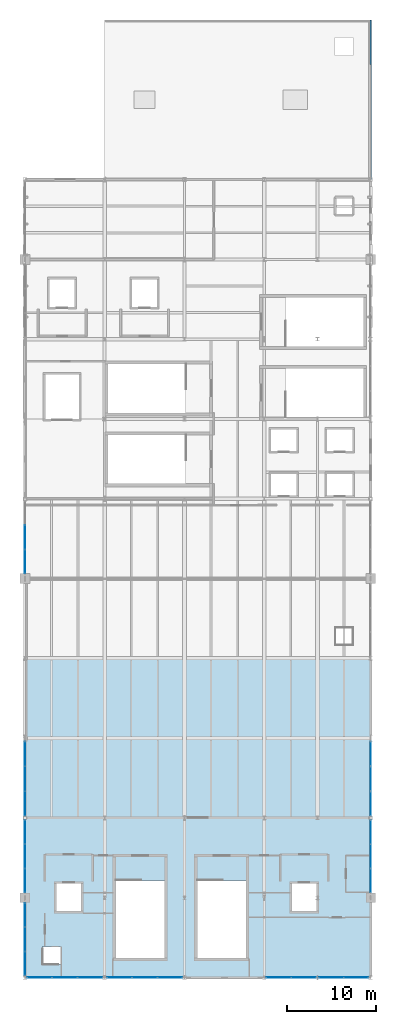
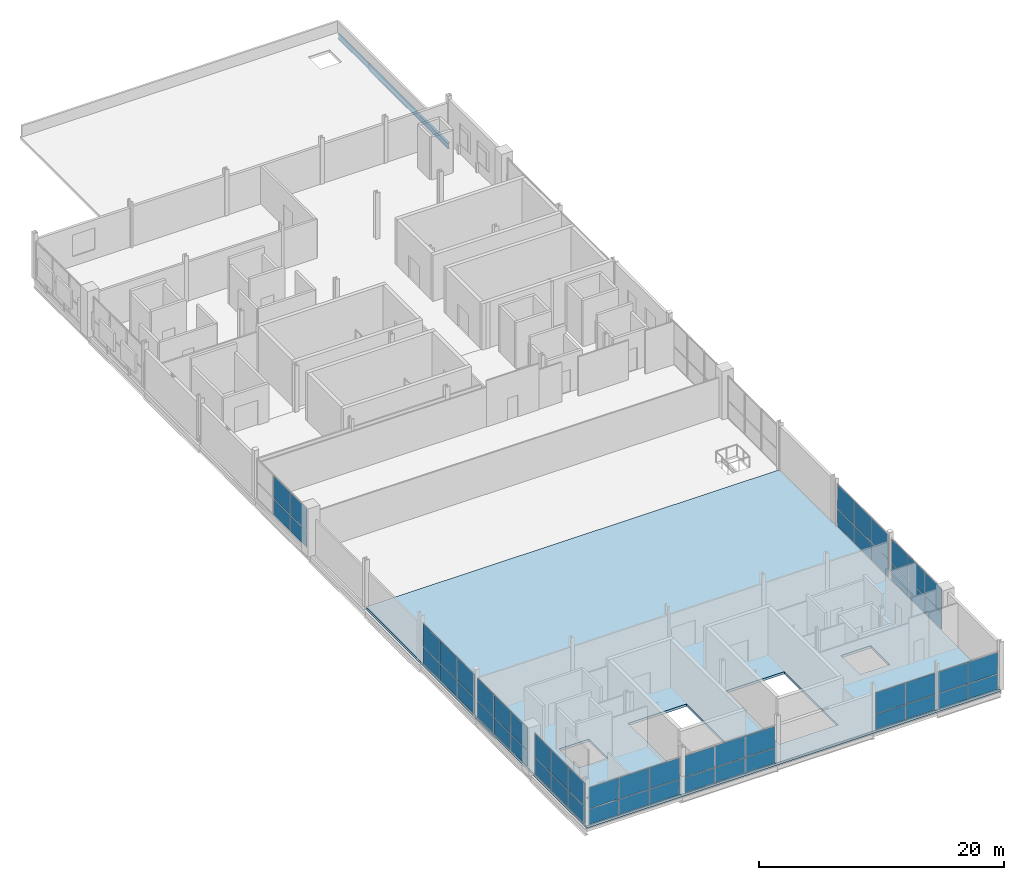
# One storey, part 20 of 29: 54 plates, 2 beams, 1 slab, 10 elements without a shape of their own.
"""IFC4 building model written with IfcOpenShell, lengths in metres."""

from ifc_helpers import new_model, si_unit, direction, frame, origin, origin_2d, place, context, subcontext, project, spatial, polyline, rectangle, i_section, outline, extrude, material, layer, layer_set, material_profile, profile_set, type_object, element, aggregate, save


model = new_model("IFC4")

# Units and contexts
model_context = context("Model", 3, precision=1e-05, world=origin(), true_north=direction((0.0, 1.0)))
body_context = subcontext(model_context, "Body", "Model", "MODEL_VIEW")
ifc_project = project(units=[si_unit("LENGTHUNIT", "METRE"), si_unit("AREAUNIT", "SQUARE_METRE"), si_unit("VOLUMEUNIT", "CUBIC_METRE"), si_unit("PLANEANGLEUNIT", "RADIAN"), si_unit("MASSUNIT", "GRAM", prefix="KILO")], contexts=[model_context])

# Site, building, storey
site_placement = place(None, origin())
site = spatial("IfcSite", under=ifc_project, at=site_placement, CompositionType="ELEMENT")
building_placement = place(site_placement, origin())
building = spatial("IfcBuilding", under=site, at=building_placement, Name="Qamarlyn Nura Convention Centre", CompositionType="ELEMENT")
storey_placement = place(building_placement, frame((0.0, 0.0, 25.199951171875)))
storey = spatial("IfcBuildingStorey", under=building, at=storey_placement, Name="L05", CompositionType="ELEMENT", Elevation=25.199951171875)

# Beams
ifc_material_1 = material(Name="Steel ASTM A992", Category="steel")
ifc_material_profile_1 = material_profile(ifc_material_1, i_section(OverallWidth=0.193115234375, OverallDepth=0.466064453125, WebThickness=0.011474609375, FlangeThickness=0.01904296875, FilletRadius=0.012939453125, at=origin_2d()), Name="W460X97")
ifc_profile_set_1 = profile_set([ifc_material_profile_1], Name="Steel ASTM A992")
beam_type_1 = type_object("IfcBeamType", Name="BM-SPAN-460", PredefinedType="SPANDREL", material=ifc_profile_set_1)
beam_1_placement = place(storey_placement, frame((192.0, 103.0, -0.472900390625), z_axis=(0.0, 1.0, 0.0), x_axis=(-1.0, 0.0, 0.0)))
element("IfcBeam", 1, at=beam_1_placement, inside=storey, type_object=beam_type_1, Name="L05 girder 18 M-N", PredefinedType="SPANDREL", context=body_context, shape_type="SweptSolid", body=[
    extrude(i_section(OverallWidth=0.193115234375, OverallDepth=0.466064453125, WebThickness=0.011474609375, FlangeThickness=0.01904296875, FilletRadius=0.012939453125, at=origin_2d()), origin(), (0.0, 0.0, 1.0), 5.0),
])
ifc_material_profile_2 = material_profile(ifc_material_1, i_section(OverallWidth=0.2109375, OverallDepth=0.5390625, WebThickness=0.01171875, FlangeThickness=0.018798828125, FilletRadius=0.013916015625, at=origin_2d()), Name="W530X109")
ifc_profile_set_2 = profile_set([ifc_material_profile_2], Name="Steel ASTM A992")
beam_type_2 = type_object("IfcBeamType", Name="BM-SPAN-530", PredefinedType="SPANDREL", material=ifc_profile_set_2)
beam_2_placement = place(storey_placement, frame((192.0, 90.0, -0.509521484375), z_axis=(0.0, 1.0, 0.0), x_axis=(-1.0, 0.0, 0.0)))
element("IfcBeam", 2, at=beam_2_placement, inside=storey, type_object=beam_type_2, Name="L05 girder 18 L-M", PredefinedType="SPANDREL", context=body_context, shape_type="SweptSolid", body=[
    extrude(i_section(OverallWidth=0.2109375, OverallDepth=0.5390625, WebThickness=0.01171875, FlangeThickness=0.018798828125, FilletRadius=0.013916015625, at=origin_2d()), origin(), (0.0, 0.0, 1.0), 13.0),
])

# Curtain wall, plates
ifc_material_2 = material(Name="Double-silver low-E insulated glass", Category="glass")
ifc_layer_1 = layer(ifc_material_2, 0.179931640625, Name="CW-UNIT-152")
ifc_layer_set_1 = layer_set([ifc_layer_1], Name="Double-silver low-E insulated glass")
curtain_wall_type_1 = type_object("IfcCurtainWallType", Name="CW-UNIT-152", PredefinedType="NOTDEFINED", material=ifc_layer_set_1)
curtain_wall_1_placement = place(storey_placement, origin())
curtain_wall_1 = element("IfcCurtainWall", 3, at=curtain_wall_1_placement, inside=storey, type_object=curtain_wall_type_1, Name="L05 unitised curtain wall EAST-2-1", PredefinedType="NOTDEFINED")
ifc_layer_2 = layer(ifc_material_2, 0.028076171875, Name="CWP-VIS-28")
ifc_layer_set_2 = layer_set([ifc_layer_2], Name="Double-silver low-E insulated glass")
plate_type_1 = type_object("IfcPlateType", Name="CWP-VIS-28", PredefinedType="CURTAIN_PANEL", material=ifc_layer_set_2)
plate_1_placement = place(storey_placement, frame((192.0, 16.409912109375, 0.06005859375), z_axis=(0.0, 0.0, 1.0), x_axis=(0.0, -1.0, 0.0)))
plate_1 = element("IfcPlate", 4, at=plate_1_placement, type_object=plate_type_1, Name="CW152 panel 1.1", PredefinedType="CURTAIN_PANEL", context=body_context, shape_type="SweptSolid", body=[
    extrude(rectangle(XDim=2.659912109375, YDim=0.028076171875, at=origin_2d()), origin(), (0.0, 0.0, 1.0), 1.693115234375),
])
plate_2_placement = place(storey_placement, frame((192.0, 16.409912109375, 1.81298828125), z_axis=(0.0, 0.0, 1.0), x_axis=(0.0, -1.0, 0.0)))
plate_2 = element("IfcPlate", 5, at=plate_2_placement, type_object=plate_type_1, Name="CW152 panel 1.2", PredefinedType="CURTAIN_PANEL", context=body_context, shape_type="SweptSolid", body=[
    extrude(rectangle(XDim=2.659912109375, YDim=0.028076171875, at=origin_2d()), origin(), (0.0, 0.0, 1.0), 2.373046875),
])
plate_3_placement = place(storey_placement, frame((192.0, 13.675048828125, 0.06005859375), z_axis=(0.0, 0.0, 1.0), x_axis=(0.0, -1.0, 0.0)))
plate_3 = element("IfcPlate", 6, at=plate_3_placement, type_object=plate_type_1, Name="CW152 panel 2.1", PredefinedType="CURTAIN_PANEL", context=body_context, shape_type="SweptSolid", body=[
    extrude(rectangle(XDim=2.68994140625, YDim=0.028076171875, at=origin_2d()), origin(), (0.0, 0.0, 1.0), 1.693115234375),
])
plate_4_placement = place(storey_placement, frame((192.0, 13.675048828125, 1.81298828125), z_axis=(0.0, 0.0, 1.0), x_axis=(0.0, -1.0, 0.0)))
plate_4 = element("IfcPlate", 7, at=plate_4_placement, type_object=plate_type_1, Name="CW152 panel 2.2", PredefinedType="CURTAIN_PANEL", context=body_context, shape_type="SweptSolid", body=[
    extrude(rectangle(XDim=2.68994140625, YDim=0.028076171875, at=origin_2d()), origin(), (0.0, 0.0, 1.0), 2.373046875),
])
plate_5_placement = place(storey_placement, frame((192.0, 10.93994140625, 0.06005859375), z_axis=(0.0, 0.0, 1.0), x_axis=(0.0, -1.0, 0.0)))
plate_5 = element("IfcPlate", 8, at=plate_5_placement, type_object=plate_type_1, Name="CW152 panel 3.1", PredefinedType="CURTAIN_PANEL", context=body_context, shape_type="SweptSolid", body=[
    extrude(rectangle(XDim=2.659912109375, YDim=0.028076171875, at=origin_2d()), origin(), (0.0, 0.0, 1.0), 1.693115234375),
])
plate_6_placement = place(storey_placement, frame((192.0, 10.93994140625, 1.81298828125), z_axis=(0.0, 0.0, 1.0), x_axis=(0.0, -1.0, 0.0)))
plate_6 = element("IfcPlate", 9, at=plate_6_placement, type_object=plate_type_1, Name="CW152 panel 3.2", PredefinedType="CURTAIN_PANEL", context=body_context, shape_type="SweptSolid", body=[
    extrude(rectangle(XDim=2.659912109375, YDim=0.028076171875, at=origin_2d()), origin(), (0.0, 0.0, 1.0), 2.373046875),
])
aggregate(curtain_wall_1, [plate_1, plate_2, plate_3, plate_4, plate_5, plate_6])

ifc_layer_3 = layer(ifc_material_2, 0.179931640625, Name="CW-UNIT-155")
ifc_layer_set_3 = layer_set([ifc_layer_3], Name="Double-silver low-E insulated glass")
curtain_wall_type_2 = type_object("IfcCurtainWallType", Name="CW-UNIT-155", PredefinedType="NOTDEFINED", material=ifc_layer_set_3)
curtain_wall_2_placement = place(storey_placement, origin())
curtain_wall_2 = element("IfcCurtainWall", 10, at=curtain_wall_2_placement, inside=storey, type_object=curtain_wall_type_2, Name="L05 unitised curtain wall STH-1-1", PredefinedType="NOTDEFINED")
plate_7_placement = place(storey_placement, frame((160.352783203125, 0.0, 0.06005859375), z_axis=(0.0, 0.0, 1.0), x_axis=(-1.0, 0.0, 0.0)))
plate_7 = element("IfcPlate", 11, at=plate_7_placement, type_object=plate_type_1, Name="CW155 panel 1.1", PredefinedType="CURTAIN_PANEL", context=body_context, shape_type="SweptSolid", body=[
    extrude(rectangle(XDim=2.775390625, YDim=0.028076171875, at=origin_2d()), origin(), (0.0, 0.0, 1.0), 1.5029296875),
])
plate_8_placement = place(storey_placement, frame((160.352783203125, 0.0, 1.623046875), z_axis=(0.0, 0.0, 1.0), x_axis=(-1.0, 0.0, 0.0)))
plate_8 = element("IfcPlate", 12, at=plate_8_placement, type_object=plate_type_1, Name="CW155 panel 1.2", PredefinedType="CURTAIN_PANEL", context=body_context, shape_type="SweptSolid", body=[
    extrude(rectangle(XDim=2.775390625, YDim=0.028076171875, at=origin_2d()), origin(), (0.0, 0.0, 1.0), 2.111083984375),
])
plate_9_placement = place(storey_placement, frame((157.50244140625, 0.0, 0.06005859375), z_axis=(0.0, 0.0, 1.0), x_axis=(-1.0, 0.0, 0.0)))
plate_9 = element("IfcPlate", 13, at=plate_9_placement, type_object=plate_type_1, Name="CW155 panel 2.1", PredefinedType="CURTAIN_PANEL", context=body_context, shape_type="SweptSolid", body=[
    extrude(rectangle(XDim=2.805419921875, YDim=0.028076171875, at=origin_2d()), origin(), (0.0, 0.0, 1.0), 1.5029296875),
])
plate_10_placement = place(storey_placement, frame((157.50244140625, 0.0, 1.623046875), z_axis=(0.0, 0.0, 1.0), x_axis=(-1.0, 0.0, 0.0)))
plate_10 = element("IfcPlate", 14, at=plate_10_placement, type_object=plate_type_1, Name="CW155 panel 2.2", PredefinedType="CURTAIN_PANEL", context=body_context, shape_type="SweptSolid", body=[
    extrude(rectangle(XDim=2.805419921875, YDim=0.028076171875, at=origin_2d()), origin(), (0.0, 0.0, 1.0), 2.111083984375),
])
plate_11_placement = place(storey_placement, frame((154.652099609375, 0.0, 0.06005859375), z_axis=(0.0, 0.0, 1.0), x_axis=(-1.0, 0.0, 0.0)))
plate_11 = element("IfcPlate", 15, at=plate_11_placement, type_object=plate_type_1, Name="CW155 panel 3.1", PredefinedType="CURTAIN_PANEL", context=body_context, shape_type="SweptSolid", body=[
    extrude(rectangle(XDim=2.775390625, YDim=0.028076171875, at=origin_2d()), origin(), (0.0, 0.0, 1.0), 1.5029296875),
])
plate_12_placement = place(storey_placement, frame((154.652099609375, 0.0, 1.623046875), z_axis=(0.0, 0.0, 1.0), x_axis=(-1.0, 0.0, 0.0)))
plate_12 = element("IfcPlate", 16, at=plate_12_placement, type_object=plate_type_1, Name="CW155 panel 3.2", PredefinedType="CURTAIN_PANEL", context=body_context, shape_type="SweptSolid", body=[
    extrude(rectangle(XDim=2.775390625, YDim=0.028076171875, at=origin_2d()), origin(), (0.0, 0.0, 1.0), 2.111083984375),
])
aggregate(curtain_wall_2, [plate_7, plate_8, plate_9, plate_10, plate_11, plate_12])

ifc_layer_4 = layer(ifc_material_2, 0.179931640625, Name="CW-UNIT-156")
ifc_layer_set_4 = layer_set([ifc_layer_4], Name="Double-silver low-E insulated glass")
curtain_wall_type_3 = type_object("IfcCurtainWallType", Name="CW-UNIT-156", PredefinedType="NOTDEFINED", material=ifc_layer_set_4)
curtain_wall_3_placement = place(storey_placement, origin())
curtain_wall_3 = element("IfcCurtainWall", 17, at=curtain_wall_3_placement, inside=storey, type_object=curtain_wall_type_3, Name="L05 unitised curtain wall STH-2-1", PredefinedType="NOTDEFINED")
plate_13_placement = place(storey_placement, frame((169.35986328125, 0.0, 0.06982421875), z_axis=(0.0, 0.0, 1.0), x_axis=(-1.0, 0.0, 0.0)))
plate_13 = element("IfcPlate", 18, at=plate_13_placement, type_object=plate_type_1, Name="CW156 panel 1.1", PredefinedType="CURTAIN_PANEL", context=body_context, shape_type="SweptSolid", body=[
    extrude(rectangle(XDim=2.76611328125, YDim=0.028076171875, at=origin_2d()), origin(), (0.0, 0.0, 1.0), 1.488037109375),
])
plate_14_placement = place(storey_placement, frame((169.35986328125, 0.0, 1.6279296875), z_axis=(0.0, 0.0, 1.0), x_axis=(-1.0, 0.0, 0.0)))
plate_14 = element("IfcPlate", 19, at=plate_14_placement, type_object=plate_type_1, Name="CW156 panel 1.2", PredefinedType="CURTAIN_PANEL", context=body_context, shape_type="SweptSolid", body=[
    extrude(rectangle(XDim=2.76611328125, YDim=0.028076171875, at=origin_2d()), origin(), (0.0, 0.0, 1.0), 2.095947265625),
])
plate_15_placement = place(storey_placement, frame((166.50634765625, 0.0, 0.06982421875), z_axis=(0.0, 0.0, 1.0), x_axis=(-1.0, 0.0, 0.0)))
plate_15 = element("IfcPlate", 20, at=plate_15_placement, type_object=plate_type_1, Name="CW156 panel 2.1", PredefinedType="CURTAIN_PANEL", context=body_context, shape_type="SweptSolid", body=[
    extrude(rectangle(XDim=2.80126953125, YDim=0.028076171875, at=origin_2d()), origin(), (0.0, 0.0, 1.0), 1.488037109375),
])
plate_16_placement = place(storey_placement, frame((166.50634765625, 0.0, 1.6279296875), z_axis=(0.0, 0.0, 1.0), x_axis=(-1.0, 0.0, 0.0)))
plate_16 = element("IfcPlate", 21, at=plate_16_placement, type_object=plate_type_1, Name="CW156 panel 2.2", PredefinedType="CURTAIN_PANEL", context=body_context, shape_type="SweptSolid", body=[
    extrude(rectangle(XDim=2.80126953125, YDim=0.028076171875, at=origin_2d()), origin(), (0.0, 0.0, 1.0), 2.095947265625),
])
plate_17_placement = place(storey_placement, frame((163.652587890625, 0.0, 0.06982421875), z_axis=(0.0, 0.0, 1.0), x_axis=(-1.0, 0.0, 0.0)))
plate_17 = element("IfcPlate", 22, at=plate_17_placement, type_object=plate_type_1, Name="CW156 panel 3.1", PredefinedType="CURTAIN_PANEL", context=body_context, shape_type="SweptSolid", body=[
    extrude(rectangle(XDim=2.76611328125, YDim=0.028076171875, at=origin_2d()), origin(), (0.0, 0.0, 1.0), 1.488037109375),
])
plate_18_placement = place(storey_placement, frame((163.652587890625, 0.0, 1.6279296875), z_axis=(0.0, 0.0, 1.0), x_axis=(-1.0, 0.0, 0.0)))
plate_18 = element("IfcPlate", 23, at=plate_18_placement, type_object=plate_type_1, Name="CW156 panel 3.2", PredefinedType="CURTAIN_PANEL", context=body_context, shape_type="SweptSolid", body=[
    extrude(rectangle(XDim=2.76611328125, YDim=0.028076171875, at=origin_2d()), origin(), (0.0, 0.0, 1.0), 2.095947265625),
])
aggregate(curtain_wall_3, [plate_13, plate_14, plate_15, plate_16, plate_17, plate_18])

ifc_layer_5 = layer(ifc_material_2, 0.179931640625, Name="CW-UNIT-157")
ifc_layer_set_5 = layer_set([ifc_layer_5], Name="Double-silver low-E insulated glass")
curtain_wall_type_4 = type_object("IfcCurtainWallType", Name="CW-UNIT-157", PredefinedType="NOTDEFINED", material=ifc_layer_set_5)
curtain_wall_4_placement = place(storey_placement, origin())
curtain_wall_4 = element("IfcCurtainWall", 24, at=curtain_wall_4_placement, inside=storey, type_object=curtain_wall_type_4, Name="L05 unitised curtain wall STH-4-1", PredefinedType="NOTDEFINED")
plate_19_placement = place(storey_placement, frame((184.45068359375, 0.0, 0.06494140625), z_axis=(0.0, 0.0, 1.0), x_axis=(-1.0, 0.0, 0.0)))
plate_19 = element("IfcPlate", 25, at=plate_19_placement, type_object=plate_type_1, Name="CW157 panel 1.1", PredefinedType="CURTAIN_PANEL", context=body_context, shape_type="SweptSolid", body=[
    extrude(rectangle(XDim=2.757568359375, YDim=0.028076171875, at=origin_2d()), origin(), (0.0, 0.0, 1.0), 1.49560546875),
])
plate_20_placement = place(storey_placement, frame((184.45068359375, 0.0, 1.62548828125), z_axis=(0.0, 0.0, 1.0), x_axis=(-1.0, 0.0, 0.0)))
plate_20 = element("IfcPlate", 26, at=plate_20_placement, type_object=plate_type_1, Name="CW157 panel 1.2", PredefinedType="CURTAIN_PANEL", context=body_context, shape_type="SweptSolid", body=[
    extrude(rectangle(XDim=2.757568359375, YDim=0.028076171875, at=origin_2d()), origin(), (0.0, 0.0, 1.0), 2.103515625),
])
plate_21_placement = place(storey_placement, frame((181.628173828125, 0.0, 0.06494140625), z_axis=(0.0, 0.0, 1.0), x_axis=(-1.0, 0.0, 0.0)))
plate_21 = element("IfcPlate", 27, at=plate_21_placement, type_object=plate_type_1, Name="CW157 panel 2.1", PredefinedType="CURTAIN_PANEL", context=body_context, shape_type="SweptSolid", body=[
    extrude(rectangle(XDim=2.757568359375, YDim=0.028076171875, at=origin_2d()), origin(), (0.0, 0.0, 1.0), 1.49560546875),
])
plate_22_placement = place(storey_placement, frame((181.628173828125, 0.0, 1.62548828125), z_axis=(0.0, 0.0, 1.0), x_axis=(-1.0, 0.0, 0.0)))
plate_22 = element("IfcPlate", 28, at=plate_22_placement, type_object=plate_type_1, Name="CW157 panel 2.2", PredefinedType="CURTAIN_PANEL", context=body_context, shape_type="SweptSolid", body=[
    extrude(rectangle(XDim=2.757568359375, YDim=0.028076171875, at=origin_2d()), origin(), (0.0, 0.0, 1.0), 2.103515625),
])
aggregate(curtain_wall_4, [plate_19, plate_20, plate_21, plate_22])

ifc_layer_6 = layer(ifc_material_2, 0.179931640625, Name="CW-UNIT-159")
ifc_layer_set_6 = layer_set([ifc_layer_6], Name="Double-silver low-E insulated glass")
curtain_wall_type_5 = type_object("IfcCurtainWallType", Name="CW-UNIT-159", PredefinedType="NOTDEFINED", material=ifc_layer_set_6)
curtain_wall_5_placement = place(storey_placement, origin())
curtain_wall_5 = element("IfcCurtainWall", 29, at=curtain_wall_5_placement, inside=storey, type_object=curtain_wall_type_5, Name="L05 unitised curtain wall FCW-0-1", PredefinedType="NOTDEFINED")
plate_23_placement = place(storey_placement, frame((153.0, 1.60302734375, 0.070068359375), z_axis=(0.0, 0.0, 1.0), x_axis=(0.0, 1.0, 0.0)))
plate_23 = element("IfcPlate", 30, at=plate_23_placement, type_object=plate_type_1, Name="CW159 panel 1.1", PredefinedType="CURTAIN_PANEL", context=body_context, shape_type="SweptSolid", body=[
    extrude(rectangle(XDim=2.640869140625, YDim=0.028076171875, at=origin_2d()), origin(), (0.0, 0.0, 1.0), 1.64794921875),
])
plate_24_placement = place(storey_placement, frame((153.0, 1.60302734375, 1.7880859375), z_axis=(0.0, 0.0, 1.0), x_axis=(0.0, 1.0, 0.0)))
plate_24 = element("IfcPlate", 31, at=plate_24_placement, type_object=plate_type_1, Name="CW159 panel 1.2", PredefinedType="CURTAIN_PANEL", context=body_context, shape_type="SweptSolid", body=[
    extrude(rectangle(XDim=2.640869140625, YDim=0.028076171875, at=origin_2d()), origin(), (0.0, 0.0, 1.0), 2.31591796875),
])
plate_25_placement = place(storey_placement, frame((153.0, 4.331298828125, 0.070068359375), z_axis=(0.0, 0.0, 1.0), x_axis=(0.0, 1.0, 0.0)))
plate_25 = element("IfcPlate", 32, at=plate_25_placement, type_object=plate_type_1, Name="CW159 panel 2.1", PredefinedType="CURTAIN_PANEL", context=body_context, shape_type="SweptSolid", body=[
    extrude(rectangle(XDim=2.67578125, YDim=0.028076171875, at=origin_2d()), origin(), (0.0, 0.0, 1.0), 1.64794921875),
])
plate_26_placement = place(storey_placement, frame((153.0, 4.331298828125, 1.7880859375), z_axis=(0.0, 0.0, 1.0), x_axis=(0.0, 1.0, 0.0)))
plate_26 = element("IfcPlate", 33, at=plate_26_placement, type_object=plate_type_1, Name="CW159 panel 2.2", PredefinedType="CURTAIN_PANEL", context=body_context, shape_type="SweptSolid", body=[
    extrude(rectangle(XDim=2.67578125, YDim=0.028076171875, at=origin_2d()), origin(), (0.0, 0.0, 1.0), 2.31591796875),
])
plate_27_placement = place(storey_placement, frame((153.0, 7.0595703125, 0.070068359375), z_axis=(0.0, 0.0, 1.0), x_axis=(0.0, 1.0, 0.0)))
plate_27 = element("IfcPlate", 34, at=plate_27_placement, type_object=plate_type_1, Name="CW159 panel 3.1", PredefinedType="CURTAIN_PANEL", context=body_context, shape_type="SweptSolid", body=[
    extrude(rectangle(XDim=2.640869140625, YDim=0.028076171875, at=origin_2d()), origin(), (0.0, 0.0, 1.0), 1.64794921875),
])
plate_28_placement = place(storey_placement, frame((153.0, 7.0595703125, 1.7880859375), z_axis=(0.0, 0.0, 1.0), x_axis=(0.0, 1.0, 0.0)))
plate_28 = element("IfcPlate", 35, at=plate_28_placement, type_object=plate_type_1, Name="CW159 panel 3.2", PredefinedType="CURTAIN_PANEL", context=body_context, shape_type="SweptSolid", body=[
    extrude(rectangle(XDim=2.640869140625, YDim=0.028076171875, at=origin_2d()), origin(), (0.0, 0.0, 1.0), 2.31591796875),
])
aggregate(curtain_wall_5, [plate_23, plate_24, plate_25, plate_26, plate_27, plate_28])

ifc_layer_7 = layer(ifc_material_2, 0.179931640625, Name="CW-UNIT-160")
ifc_layer_set_7 = layer_set([ifc_layer_7], Name="Double-silver low-E insulated glass")
curtain_wall_type_6 = type_object("IfcCurtainWallType", Name="CW-UNIT-160", PredefinedType="NOTDEFINED", material=ifc_layer_set_7)
curtain_wall_6_placement = place(storey_placement, origin())
curtain_wall_6 = element("IfcCurtainWall", 36, at=curtain_wall_6_placement, inside=storey, type_object=curtain_wall_type_6, Name="L05 unitised curtain wall FCW-9-1", PredefinedType="NOTDEFINED")
plate_29_placement = place(storey_placement, frame((153.0, 10.941162109375, 0.065185546875), z_axis=(0.0, 0.0, 1.0), x_axis=(0.0, 1.0, 0.0)))
plate_29 = element("IfcPlate", 37, at=plate_29_placement, type_object=plate_type_1, Name="CW160 panel 1.1", PredefinedType="CURTAIN_PANEL", context=body_context, shape_type="SweptSolid", body=[
    extrude(rectangle(XDim=2.652587890625, YDim=0.028076171875, at=origin_2d()), origin(), (0.0, 0.0, 1.0), 1.58740234375),
])
plate_30_placement = place(storey_placement, frame((153.0, 10.941162109375, 1.717529296875), z_axis=(0.0, 0.0, 1.0), x_axis=(0.0, 1.0, 0.0)))
plate_30 = element("IfcPlate", 38, at=plate_30_placement, type_object=plate_type_1, Name="CW160 panel 1.2", PredefinedType="CURTAIN_PANEL", context=body_context, shape_type="SweptSolid", body=[
    extrude(rectangle(XDim=2.652587890625, YDim=0.028076171875, at=origin_2d()), origin(), (0.0, 0.0, 1.0), 2.2294921875),
])
plate_31_placement = place(storey_placement, frame((153.0, 13.675048828125, 0.065185546875), z_axis=(0.0, 0.0, 1.0), x_axis=(0.0, 1.0, 0.0)))
plate_31 = element("IfcPlate", 39, at=plate_31_placement, type_object=plate_type_1, Name="CW160 panel 2.1", PredefinedType="CURTAIN_PANEL", context=body_context, shape_type="SweptSolid", body=[
    extrude(rectangle(XDim=2.68505859375, YDim=0.028076171875, at=origin_2d()), origin(), (0.0, 0.0, 1.0), 1.58740234375),
])
plate_32_placement = place(storey_placement, frame((153.0, 13.675048828125, 1.717529296875), z_axis=(0.0, 0.0, 1.0), x_axis=(0.0, 1.0, 0.0)))
plate_32 = element("IfcPlate", 40, at=plate_32_placement, type_object=plate_type_1, Name="CW160 panel 2.2", PredefinedType="CURTAIN_PANEL", context=body_context, shape_type="SweptSolid", body=[
    extrude(rectangle(XDim=2.68505859375, YDim=0.028076171875, at=origin_2d()), origin(), (0.0, 0.0, 1.0), 2.2294921875),
])
plate_33_placement = place(storey_placement, frame((153.0, 16.40869140625, 0.065185546875), z_axis=(0.0, 0.0, 1.0), x_axis=(0.0, 1.0, 0.0)))
plate_33 = element("IfcPlate", 41, at=plate_33_placement, type_object=plate_type_1, Name="CW160 panel 3.1", PredefinedType="CURTAIN_PANEL", context=body_context, shape_type="SweptSolid", body=[
    extrude(rectangle(XDim=2.652587890625, YDim=0.028076171875, at=origin_2d()), origin(), (0.0, 0.0, 1.0), 1.58740234375),
])
plate_34_placement = place(storey_placement, frame((153.0, 16.40869140625, 1.717529296875), z_axis=(0.0, 0.0, 1.0), x_axis=(0.0, 1.0, 0.0)))
plate_34 = element("IfcPlate", 42, at=plate_34_placement, type_object=plate_type_1, Name="CW160 panel 3.2", PredefinedType="CURTAIN_PANEL", context=body_context, shape_type="SweptSolid", body=[
    extrude(rectangle(XDim=2.652587890625, YDim=0.028076171875, at=origin_2d()), origin(), (0.0, 0.0, 1.0), 2.2294921875),
])
aggregate(curtain_wall_6, [plate_29, plate_30, plate_31, plate_32, plate_33, plate_34])

ifc_layer_8 = layer(ifc_material_2, 0.179931640625, Name="CW-UNIT-135")
ifc_layer_set_8 = layer_set([ifc_layer_8], Name="Double-silver low-E insulated glass")
curtain_wall_type_7 = type_object("IfcCurtainWallType", Name="CW-UNIT-135", PredefinedType="NOTDEFINED", material=ifc_layer_set_8)
curtain_wall_7_placement = place(storey_placement, origin())
curtain_wall_7 = element("IfcCurtainWall", 43, at=curtain_wall_7_placement, inside=storey, type_object=curtain_wall_type_7, Name="L05 unitised curtain wall FCW-18-1", PredefinedType="NOTDEFINED")
plate_35_placement = place(storey_placement, frame((153.0, 19.623779296875, 0.06005859375), z_axis=(0.0, 0.0, 1.0), x_axis=(0.0, 1.0, 0.0)))
plate_35 = element("IfcPlate", 44, at=plate_35_placement, type_object=plate_type_1, Name="CW135 panel 1.1", PredefinedType="CURTAIN_PANEL", context=body_context, shape_type="SweptSolid", body=[
    extrude(rectangle(XDim=2.7275390625, YDim=0.028076171875, at=origin_2d()), origin(), (0.0, 0.0, 1.0), 1.6279296875),
])
plate_36_placement = place(storey_placement, frame((153.0, 19.623779296875, 1.748046875), z_axis=(0.0, 0.0, 1.0), x_axis=(0.0, 1.0, 0.0)))
plate_36 = element("IfcPlate", 45, at=plate_36_placement, type_object=plate_type_1, Name="CW135 panel 1.2", PredefinedType="CURTAIN_PANEL", context=body_context, shape_type="SweptSolid", body=[
    extrude(rectangle(XDim=2.7275390625, YDim=0.028076171875, at=origin_2d()), origin(), (0.0, 0.0, 1.0), 2.281982421875),
])
plate_37_placement = place(storey_placement, frame((153.0, 22.42626953125, 0.06005859375), z_axis=(0.0, 0.0, 1.0), x_axis=(0.0, 1.0, 0.0)))
plate_37 = element("IfcPlate", 46, at=plate_37_placement, type_object=plate_type_1, Name="CW135 panel 2.1", PredefinedType="CURTAIN_PANEL", context=body_context, shape_type="SweptSolid", body=[
    extrude(rectangle(XDim=2.757568359375, YDim=0.028076171875, at=origin_2d()), origin(), (0.0, 0.0, 1.0), 1.6279296875),
])
plate_38_placement = place(storey_placement, frame((153.0, 22.42626953125, 1.748046875), z_axis=(0.0, 0.0, 1.0), x_axis=(0.0, 1.0, 0.0)))
plate_38 = element("IfcPlate", 47, at=plate_38_placement, type_object=plate_type_1, Name="CW135 panel 2.2", PredefinedType="CURTAIN_PANEL", context=body_context, shape_type="SweptSolid", body=[
    extrude(rectangle(XDim=2.757568359375, YDim=0.028076171875, at=origin_2d()), origin(), (0.0, 0.0, 1.0), 2.281982421875),
])
plate_39_placement = place(storey_placement, frame((153.0, 25.228759765625, 0.06005859375), z_axis=(0.0, 0.0, 1.0), x_axis=(0.0, 1.0, 0.0)))
plate_39 = element("IfcPlate", 48, at=plate_39_placement, type_object=plate_type_1, Name="CW135 panel 3.1", PredefinedType="CURTAIN_PANEL", context=body_context, shape_type="SweptSolid", body=[
    extrude(rectangle(XDim=2.7275390625, YDim=0.028076171875, at=origin_2d()), origin(), (0.0, 0.0, 1.0), 1.6279296875),
])
plate_40_placement = place(storey_placement, frame((153.0, 25.228759765625, 1.748046875), z_axis=(0.0, 0.0, 1.0), x_axis=(0.0, 1.0, 0.0)))
plate_40 = element("IfcPlate", 49, at=plate_40_placement, type_object=plate_type_1, Name="CW135 panel 3.2", PredefinedType="CURTAIN_PANEL", context=body_context, shape_type="SweptSolid", body=[
    extrude(rectangle(XDim=2.7275390625, YDim=0.028076171875, at=origin_2d()), origin(), (0.0, 0.0, 1.0), 2.281982421875),
])
aggregate(curtain_wall_7, [plate_35, plate_36, plate_37, plate_38, plate_39, plate_40])

ifc_layer_9 = layer(ifc_material_2, 0.179931640625, Name="CW-UNIT-153")
ifc_layer_set_9 = layer_set([ifc_layer_9], Name="Double-silver low-E insulated glass")
curtain_wall_type_8 = type_object("IfcCurtainWallType", Name="CW-UNIT-153", PredefinedType="NOTDEFINED", material=ifc_layer_set_9)
curtain_wall_8_placement = place(storey_placement, origin())
curtain_wall_8 = element("IfcCurtainWall", 50, at=curtain_wall_8_placement, inside=storey, type_object=curtain_wall_type_8, Name="L05 unitised curtain wall EAST-3-1", PredefinedType="NOTDEFINED")
ifc_layer_10 = layer(ifc_material_2, 0.031982421875, Name="CWP-VIS-32")
ifc_layer_set_10 = layer_set([ifc_layer_10], Name="Double-silver low-E insulated glass")
plate_type_2 = type_object("IfcPlateType", Name="CWP-VIS-32", PredefinedType="CURTAIN_PANEL", material=ifc_layer_set_10)
plate_41_placement = place(storey_placement, frame((192.0, 25.226318359375, 0.070068359375), z_axis=(0.0, 0.0, 1.0), x_axis=(0.0, -1.0, 0.0)))
plate_41 = element("IfcPlate", 51, at=plate_41_placement, type_object=plate_type_2, Name="CW153 panel 1.1", PredefinedType="CURTAIN_PANEL", context=body_context, shape_type="SweptSolid", body=[
    extrude(rectangle(XDim=2.71240234375, YDim=0.031982421875, at=origin_2d()), origin(), (0.0, 0.0, 1.0), 1.708984375),
])
plate_42_placement = place(storey_placement, frame((192.0, 25.226318359375, 1.84912109375), z_axis=(0.0, 0.0, 1.0), x_axis=(0.0, -1.0, 0.0)))
plate_42 = element("IfcPlate", 52, at=plate_42_placement, type_object=plate_type_2, Name="CW153 panel 1.2", PredefinedType="CURTAIN_PANEL", context=body_context, shape_type="SweptSolid", body=[
    extrude(rectangle(XDim=2.71240234375, YDim=0.031982421875, at=origin_2d()), origin(), (0.0, 0.0, 1.0), 2.39990234375),
])
plate_43_placement = place(storey_placement, frame((192.0, 22.42626953125, 0.070068359375), z_axis=(0.0, 0.0, 1.0), x_axis=(0.0, -1.0, 0.0)))
plate_43 = element("IfcPlate", 53, at=plate_43_placement, type_object=plate_type_2, Name="CW153 panel 2.1", PredefinedType="CURTAIN_PANEL", context=body_context, shape_type="SweptSolid", body=[
    extrude(rectangle(XDim=2.74755859375, YDim=0.031982421875, at=origin_2d()), origin(), (0.0, 0.0, 1.0), 1.708984375),
])
plate_44_placement = place(storey_placement, frame((192.0, 22.42626953125, 1.84912109375), z_axis=(0.0, 0.0, 1.0), x_axis=(0.0, -1.0, 0.0)))
plate_44 = element("IfcPlate", 54, at=plate_44_placement, type_object=plate_type_2, Name="CW153 panel 2.2", PredefinedType="CURTAIN_PANEL", context=body_context, shape_type="SweptSolid", body=[
    extrude(rectangle(XDim=2.74755859375, YDim=0.031982421875, at=origin_2d()), origin(), (0.0, 0.0, 1.0), 2.39990234375),
])
plate_45_placement = place(storey_placement, frame((192.0, 19.626220703125, 0.070068359375), z_axis=(0.0, 0.0, 1.0), x_axis=(0.0, -1.0, 0.0)))
plate_45 = element("IfcPlate", 55, at=plate_45_placement, type_object=plate_type_2, Name="CW153 panel 3.1", PredefinedType="CURTAIN_PANEL", context=body_context, shape_type="SweptSolid", body=[
    extrude(rectangle(XDim=2.71240234375, YDim=0.031982421875, at=origin_2d()), origin(), (0.0, 0.0, 1.0), 1.708984375),
])
plate_46_placement = place(storey_placement, frame((192.0, 19.626220703125, 1.84912109375), z_axis=(0.0, 0.0, 1.0), x_axis=(0.0, -1.0, 0.0)))
plate_46 = element("IfcPlate", 56, at=plate_46_placement, type_object=plate_type_2, Name="CW153 panel 3.2", PredefinedType="CURTAIN_PANEL", context=body_context, shape_type="SweptSolid", body=[
    extrude(rectangle(XDim=2.71240234375, YDim=0.031982421875, at=origin_2d()), origin(), (0.0, 0.0, 1.0), 2.39990234375),
])
aggregate(curtain_wall_8, [plate_41, plate_42, plate_43, plate_44, plate_45, plate_46])

ifc_layer_11 = layer(ifc_material_2, 0.179931640625, Name="CW-UNIT-158")
ifc_layer_set_11 = layer_set([ifc_layer_11], Name="Double-silver low-E insulated glass")
curtain_wall_type_9 = type_object("IfcCurtainWallType", Name="CW-UNIT-158", PredefinedType="NOTDEFINED", material=ifc_layer_set_11)
curtain_wall_9_placement = place(storey_placement, origin())
curtain_wall_9 = element("IfcCurtainWall", 57, at=curtain_wall_9_placement, inside=storey, type_object=curtain_wall_type_9, Name="L05 unitised curtain wall STH-5-1", PredefinedType="NOTDEFINED")
plate_47_placement = place(storey_placement, frame((190.35791015625, 0.0, 0.06005859375), z_axis=(0.0, 0.0, 1.0), x_axis=(-1.0, 0.0, 0.0)))
plate_47 = element("IfcPlate", 58, at=plate_47_placement, type_object=plate_type_2, Name="CW158 panel 1.1", PredefinedType="CURTAIN_PANEL", context=body_context, shape_type="SweptSolid", body=[
    extrude(rectangle(XDim=2.7548828125, YDim=0.031982421875, at=origin_2d()), origin(), (0.0, 0.0, 1.0), 1.5029296875),
])
plate_48_placement = place(storey_placement, frame((190.35791015625, 0.0, 1.623046875), z_axis=(0.0, 0.0, 1.0), x_axis=(-1.0, 0.0, 0.0)))
plate_48 = element("IfcPlate", 59, at=plate_48_placement, type_object=plate_type_2, Name="CW158 panel 1.2", PredefinedType="CURTAIN_PANEL", context=body_context, shape_type="SweptSolid", body=[
    extrude(rectangle(XDim=2.7548828125, YDim=0.031982421875, at=origin_2d()), origin(), (0.0, 0.0, 1.0), 2.111083984375),
])
plate_49_placement = place(storey_placement, frame((187.54296875, 0.0, 0.06005859375), z_axis=(0.0, 0.0, 1.0), x_axis=(-1.0, 0.0, 0.0)))
plate_49 = element("IfcPlate", 60, at=plate_49_placement, type_object=plate_type_2, Name="CW158 panel 2.1", PredefinedType="CURTAIN_PANEL", context=body_context, shape_type="SweptSolid", body=[
    extrude(rectangle(XDim=2.7548828125, YDim=0.031982421875, at=origin_2d()), origin(), (0.0, 0.0, 1.0), 1.5029296875),
])
plate_50_placement = place(storey_placement, frame((187.54296875, 0.0, 1.623046875), z_axis=(0.0, 0.0, 1.0), x_axis=(-1.0, 0.0, 0.0)))
plate_50 = element("IfcPlate", 61, at=plate_50_placement, type_object=plate_type_2, Name="CW158 panel 2.2", PredefinedType="CURTAIN_PANEL", context=body_context, shape_type="SweptSolid", body=[
    extrude(rectangle(XDim=2.7548828125, YDim=0.031982421875, at=origin_2d()), origin(), (0.0, 0.0, 1.0), 2.111083984375),
])
aggregate(curtain_wall_9, [plate_47, plate_48, plate_49, plate_50])

curtain_wall_10_placement = place(storey_placement, origin())
curtain_wall_10 = element("IfcCurtainWall", 62, at=curtain_wall_10_placement, inside=storey, type_object=curtain_wall_type_6, Name="L05 unitised curtain wall CRT-45-1", PredefinedType="NOTDEFINED")
plate_51_placement = place(storey_placement, frame((153.0, 46.9423828125, 0.070068359375), z_axis=(0.0, 0.0, 1.0), x_axis=(0.0, 1.0, 0.0)))
plate_51 = element("IfcPlate", 63, at=plate_51_placement, type_object=plate_type_2, Name="CW160 panel 1.1", PredefinedType="CURTAIN_PANEL", context=body_context, shape_type="SweptSolid", body=[
    extrude(rectangle(XDim=2.64501953125, YDim=0.031982421875, at=origin_2d()), origin(), (0.0, 0.0, 1.0), 1.580078125),
])
plate_52_placement = place(storey_placement, frame((153.0, 46.9423828125, 1.72021484375), z_axis=(0.0, 0.0, 1.0), x_axis=(0.0, 1.0, 0.0)))
plate_52 = element("IfcPlate", 64, at=plate_52_placement, type_object=plate_type_2, Name="CW160 panel 1.2", PredefinedType="CURTAIN_PANEL", context=body_context, shape_type="SweptSolid", body=[
    extrude(rectangle(XDim=2.64501953125, YDim=0.031982421875, at=origin_2d()), origin(), (0.0, 0.0, 1.0), 2.221923828125),
])
plate_53_placement = place(storey_placement, frame((153.0, 49.675048828125, 0.070068359375), z_axis=(0.0, 0.0, 1.0), x_axis=(0.0, 1.0, 0.0)))
plate_53 = element("IfcPlate", 65, at=plate_53_placement, type_object=plate_type_2, Name="CW160 panel 2.1", PredefinedType="CURTAIN_PANEL", context=body_context, shape_type="SweptSolid", body=[
    extrude(rectangle(XDim=2.679931640625, YDim=0.031982421875, at=origin_2d()), origin(), (0.0, 0.0, 1.0), 1.580078125),
])
plate_54_placement = place(storey_placement, frame((153.0, 49.675048828125, 1.72021484375), z_axis=(0.0, 0.0, 1.0), x_axis=(0.0, 1.0, 0.0)))
plate_54 = element("IfcPlate", 66, at=plate_54_placement, type_object=plate_type_2, Name="CW160 panel 2.2", PredefinedType="CURTAIN_PANEL", context=body_context, shape_type="SweptSolid", body=[
    extrude(rectangle(XDim=2.679931640625, YDim=0.031982421875, at=origin_2d()), origin(), (0.0, 0.0, 1.0), 2.221923828125),
])
aggregate(curtain_wall_10, [plate_51, plate_52, plate_53, plate_54])

# Slab
ifc_material_3 = material(Name="Concrete C40/50", Category="concrete")
ifc_layer_12 = layer(ifc_material_3, 0.239990234375, Name="SL-L05")
ifc_layer_set_12 = layer_set([ifc_layer_12], Name="Concrete C40/50")
slab_type = type_object("IfcSlabType", Name="SL-L05", PredefinedType="FLOOR", material=ifc_layer_set_12)
slab_placement = place(storey_placement, frame((0.0, 0.0, -0.239990234375)))
element("IfcSlab", 67, at=slab_placement, inside=storey, type_object=slab_type, Name="L05 floor slab L05-FR1", PredefinedType="FLOOR", context=body_context, shape_type="SweptSolid", body=[
    extrude(outline(polyline([(153.0, 36.0), (192.0, 36.0), (192.0, 0.0), (153.0, 0.0), (153.0, 36.0)]), holes=[polyline([(155.0, 3.5), (155.0, 1.5), (157.0, 1.5), (157.0, 3.5), (155.0, 3.5)]), polyline([(168.75, 2.199951171875), (168.75, 10.93994140625), (163.25, 10.93994140625), (163.25, 2.199951171875), (168.75, 2.199951171875)]), polyline([(172.449951171875, 2.199951171875), (177.949951171875, 2.199951171875), (177.949951171875, 10.93994140625), (172.449951171875, 10.93994140625), (172.449951171875, 2.199951171875)]), polyline([(159.35009765625, 10.60009765625), (156.550048828125, 10.60009765625), (156.550048828125, 7.5), (159.35009765625, 7.5), (159.35009765625, 10.60009765625)]), polyline([(185.89990234375, 10.60009765625), (183.10009765625, 10.60009765625), (183.10009765625, 7.5), (185.89990234375, 7.5), (185.89990234375, 10.60009765625)])]), origin(), (0.0, 0.0, 1.0), 0.239990234375),
])

save(model, "model.ifc")
